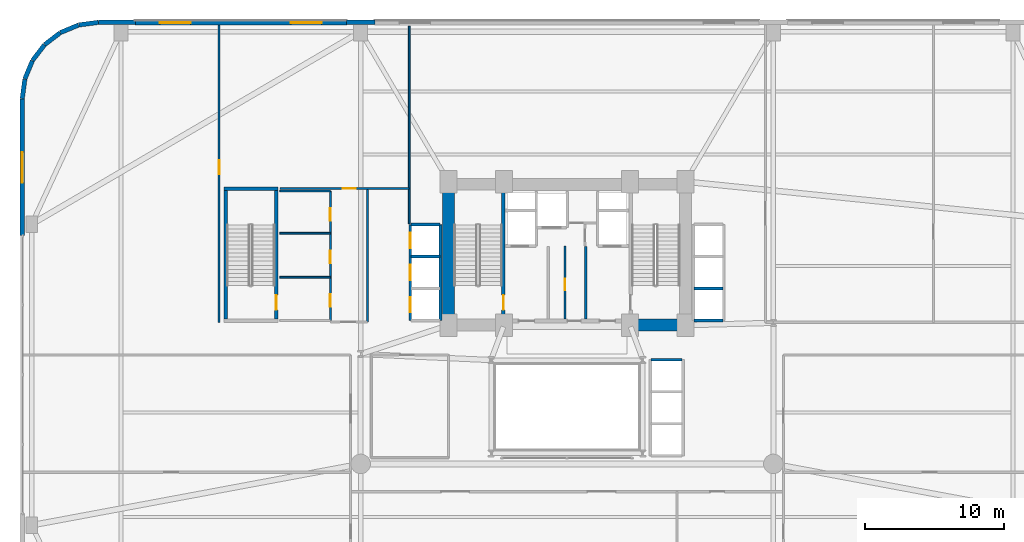
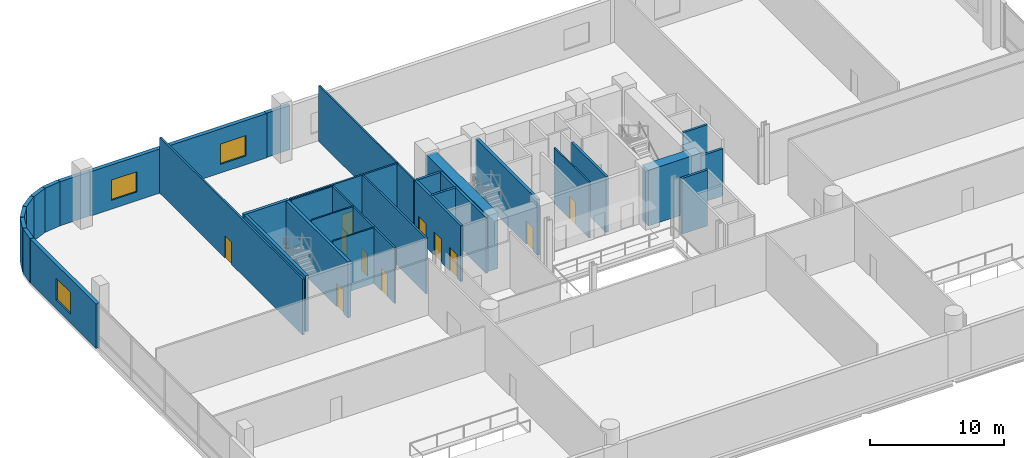
# One storey, part 23 of 31: 33 walls, 11 doors, 3 windows, 14 openings.
"""IFC4 building model written with IfcOpenShell, lengths in metres."""

from ifc_helpers import new_model, si_unit, direction, frame, frame_2d, origin, place, context, subcontext, project, spatial, rectangle, extrude, material, layer, layer_set, type_object, element, fill, save


model = new_model("IFC4")

# Units and contexts
model_context = context("Model", 3, precision=1e-05, world=origin(), true_north=direction((0.0, 1.0)))
body_context = subcontext(model_context, "Body", "Model", "MODEL_VIEW")
ifc_project = project(units=[si_unit("LENGTHUNIT", "METRE"), si_unit("AREAUNIT", "SQUARE_METRE"), si_unit("VOLUMEUNIT", "CUBIC_METRE"), si_unit("PLANEANGLEUNIT", "RADIAN"), si_unit("MASSUNIT", "GRAM", prefix="KILO")], contexts=[model_context])

# Site, building, storey
site_placement = place(None, origin())
site = spatial("IfcSite", under=ifc_project, at=site_placement, CompositionType="ELEMENT")
building_placement = place(site_placement, origin())
building = spatial("IfcBuilding", under=site, at=building_placement, Name="Varnelok Gate Tower", CompositionType="ELEMENT")
storey_placement = place(building_placement, frame((0.0, 0.0, 16.199951171875)))
storey = spatial("IfcBuildingStorey", under=building, at=storey_placement, Name="L03", CompositionType="ELEMENT", Elevation=16.199951171875)

# Wall, openings, windows
ifc_material_1 = material(Name="Concrete C45/55", Category="concrete")
ifc_layer_1 = layer(ifc_material_1, 0.320068359375)
ifc_layer_set_1 = layer_set([ifc_layer_1], Name="Concrete C45/55")
wall_type_1 = type_object("IfcWallType", Name="EW-POD-320", PredefinedType="SOLIDWALL", material=ifc_layer_set_1)
wall_1_placement = place(storey_placement, frame((8.199951171875, 50.43994140625, 0.0), z_axis=(0.0, 0.0, 1.0), x_axis=(1.0, 0.0, 0.0)))
wall_1 = element("IfcWall", 1, at=wall_1_placement, inside=storey, type_object=wall_type_1, Name="L03 North Podium Wall 1", PredefinedType="SOLIDWALL", context=body_context, shape_type="SweptSolid", body=[
    extrude(rectangle(XDim=15.199951171875, YDim=0.320068359375, at=frame_2d((7.60009765625, 0.0))), origin(), (0.0, 0.0, 1.0), 4.030029296875),
])
opening_1_placement = place(wall_1_placement, frame((1.800048828125, 0.0, 0.800048828125)))
opening_1 = element("IfcOpeningElement", 2, at=opening_1_placement, cuts=wall_1, Name="Opening WN2", PredefinedType="OPENING", context=body_context, shape_type="SweptSolid", body=[
    extrude(rectangle(XDim=2.199951171875, YDim=1.85009765625, at=frame_2d((1.10009765625, 0.925048828125))), frame((0.0, 0.169921875, 0.0), z_axis=(0.0, -1.0, 0.0), x_axis=(1.0, 0.0, 0.0)), (0.0, 0.0, 1.0), 0.340087890625),
])
opening_2_placement = place(wall_1_placement, frame((11.199951171875, 0.0, 0.800048828125)))
opening_2 = element("IfcOpeningElement", 3, at=opening_2_placement, cuts=wall_1, Name="Opening WN2", PredefinedType="OPENING", context=body_context, shape_type="SweptSolid", body=[
    extrude(rectangle(XDim=2.199951171875, YDim=1.85009765625, at=frame_2d((1.10009765625, 0.925048828125))), frame((0.0, 0.169921875, 0.0), z_axis=(0.0, -1.0, 0.0), x_axis=(1.0, 0.0, 0.0)), (0.0, 0.0, 1.0), 0.340087890625),
])
ifc_material_2 = material(Name="Low-E Laminated Double Glazing IGU", Category="glass")
window_type_1 = type_object("IfcWindowType", Name="WN-POD-2200", PartitioningType="SINGLE_PANEL", PredefinedType="WINDOW", material=ifc_material_2)
window_1_placement = place(opening_1_placement, origin())
window_1 = element("IfcWindow", 4, at=window_1_placement, inside=storey, type_object=window_type_1, Name="L03 Podium Window N1.1", OverallHeight=1.85009765625, OverallWidth=2.199951171875, PartitioningType="SINGLE_PANEL", PredefinedType="WINDOW", context=body_context, shape_type="SweptSolid", body=[
    extrude(rectangle(XDim=2.199951171875, YDim=1.85009765625, at=frame_2d((1.10009765625, 0.925048828125))), frame((0.0, 0.030029296875, 0.0), z_axis=(0.0, -1.0, 0.0), x_axis=(1.0, 0.0, 0.0)), (0.0, 0.0, 1.0), 0.06005859375),
])
fill(opening_1, window_1)
window_2_placement = place(opening_2_placement, origin())
window_2 = element("IfcWindow", 5, at=window_2_placement, inside=storey, type_object=window_type_1, Name="L03 Podium Window N1.2", OverallHeight=1.85009765625, OverallWidth=2.199951171875, PartitioningType="SINGLE_PANEL", PredefinedType="WINDOW", context=body_context, shape_type="SweptSolid", body=[
    extrude(rectangle(XDim=2.199951171875, YDim=1.85009765625, at=frame_2d((1.10009765625, 0.925048828125))), frame((0.0, 0.030029296875, 0.0), z_axis=(0.0, -1.0, 0.0), x_axis=(1.0, 0.0, 0.0)), (0.0, 0.0, 1.0), 0.06005859375),
])
fill(opening_2, window_2)

# Walls
wall_2_placement = place(storey_placement, frame((25.429931640625, 50.47998046875, 0.0), z_axis=(0.0, 0.0, 1.0), x_axis=(-1.0, 0.0, 0.0)))
element("IfcWall", 6, at=wall_2_placement, inside=storey, type_object=wall_type_1, Name="L03 Perimeter Facade Closure Wall 27", PredefinedType="SOLIDWALL", context=body_context, shape_type="SweptSolid", body=[
    extrude(rectangle(XDim=2.059814453125, YDim=0.320068359375, at=frame_2d((1.02978515625, 0.0))), origin(), (0.0, 0.0, 1.0), 4.030029296875),
])
wall_3_placement = place(storey_placement, frame((8.22998046875, 50.47998046875, 0.0), z_axis=(0.0, 0.0, 1.0), x_axis=(-1.0, 0.0, 0.0)))
element("IfcWall", 7, at=wall_3_placement, inside=storey, type_object=wall_type_1, Name="L03 Perimeter Facade Closure Wall 28", PredefinedType="SOLIDWALL", context=body_context, shape_type="SweptSolid", body=[
    extrude(rectangle(XDim=2.6220703125, YDim=0.320068359375, at=frame_2d((1.31103515625, 0.0))), origin(), (0.0, 0.0, 1.0), 4.030029296875),
])
wall_4_placement = place(storey_placement, frame((5.5830078125, 50.476806640625, 0.0), z_axis=(0.0, 0.0, 1.0), x_axis=(-0.991434880626, -0.130601981138, 0.0)))
element("IfcWall", 8, at=wall_4_placement, inside=storey, type_object=wall_type_1, Name="L03 Perimeter Facade Closure Wall 29", PredefinedType="SOLIDWALL", context=body_context, shape_type="SweptSolid", body=[
    extrude(rectangle(XDim=1.413330078125, YDim=0.320068359375, at=frame_2d((0.70654296875, 0.0))), origin(), (0.0, 0.0, 1.0), 4.030029296875),
])
wall_5_placement = place(storey_placement, frame((4.15869140625, 50.28271484375, 0.0), z_axis=(0.0, 0.0, 1.0), x_axis=(-0.923841042178, -0.382776343035, 0.0)))
element("IfcWall", 9, at=wall_5_placement, inside=storey, type_object=wall_type_1, Name="L03 Perimeter Facade Closure Wall 30", PredefinedType="SOLIDWALL", context=body_context, shape_type="SweptSolid", body=[
    extrude(rectangle(XDim=1.405029296875, YDim=0.320068359375, at=frame_2d((0.70263671875, 0.0))), origin(), (0.0, 0.0, 1.0), 4.030029296875),
])
wall_6_placement = place(storey_placement, frame((2.8408203125, 49.729736328125, 0.0), z_axis=(0.0, 0.0, 1.0), x_axis=(-0.79338541907, -0.60871962085, 0.0)))
element("IfcWall", 10, at=wall_6_placement, inside=storey, type_object=wall_type_1, Name="L03 Perimeter Facade Closure Wall 31", PredefinedType="SOLIDWALL", context=body_context, shape_type="SweptSolid", body=[
    extrude(rectangle(XDim=1.4052734375, YDim=0.320068359375, at=frame_2d((0.70263671875, 0.0))), origin(), (0.0, 0.0, 1.0), 4.030029296875),
])
wall_7_placement = place(storey_placement, frame((1.710693359375, 48.8544921875, 0.0), z_axis=(0.0, 0.0, 1.0), x_axis=(-0.608828954222, -0.793301521807, 0.0)))
element("IfcWall", 11, at=wall_7_placement, inside=storey, type_object=wall_type_1, Name="L03 Perimeter Facade Closure Wall 32", PredefinedType="SOLIDWALL", context=body_context, shape_type="SweptSolid", body=[
    extrude(rectangle(XDim=1.405517578125, YDim=0.320068359375, at=frame_2d((0.70263671875, 0.0))), origin(), (0.0, 0.0, 1.0), 4.030029296875),
])
wall_8_placement = place(storey_placement, frame((0.845703125, 47.71630859375, 0.0), z_axis=(0.0, 0.0, 1.0), x_axis=(-0.382924622758, -0.923779591291, 0.0)))
element("IfcWall", 12, at=wall_8_placement, inside=storey, type_object=wall_type_1, Name="L03 Perimeter Facade Closure Wall 33", PredefinedType="SOLIDWALL", context=body_context, shape_type="SweptSolid", body=[
    extrude(rectangle(XDim=1.4052734375, YDim=0.320068359375, at=frame_2d((0.70263671875, 0.0))), origin(), (0.0, 0.0, 1.0), 4.030029296875),
])
wall_9_placement = place(storey_placement, frame((0.304443359375, 46.393310546875, 0.0), z_axis=(0.0, 0.0, 1.0), x_axis=(-0.130432168094, -0.991457235349, 0.0)))
element("IfcWall", 13, at=wall_9_placement, inside=storey, type_object=wall_type_1, Name="L03 Perimeter Facade Closure Wall 34", PredefinedType="SOLIDWALL", context=body_context, shape_type="SweptSolid", body=[
    extrude(rectangle(XDim=1.4130859375, YDim=0.320068359375, at=frame_2d((0.70654296875, 0.0))), origin(), (0.0, 0.0, 1.0), 4.030029296875),
])

# Wall, opening, window
wall_10_placement = place(storey_placement, frame((0.1201171875, 44.967041015625, 0.0), z_axis=(0.0, 0.0, 1.0), x_axis=(0.0, -1.0, 0.0)))
wall_10 = element("IfcWall", 14, at=wall_10_placement, inside=storey, type_object=wall_type_1, Name="L03 Perimeter Facade Closure Wall 35", PredefinedType="SOLIDWALL", context=body_context, shape_type="SweptSolid", body=[
    extrude(rectangle(XDim=9.797119140625, YDim=0.320068359375, at=frame_2d((4.8984375, 0.0))), origin(), (0.0, 0.0, 1.0), 4.030029296875),
])
opening_3_placement = place(wall_10_placement, frame((3.798583984375, 0.0, 0.800048828125)))
opening_3 = element("IfcOpeningElement", 15, at=opening_3_placement, cuts=wall_10, Name="Opening WN2A", PredefinedType="OPENING", context=body_context, shape_type="SweptSolid", body=[
    extrude(rectangle(XDim=2.199951171875, YDim=2.0, at=frame_2d((1.10009765625, 1.0))), frame((0.0, 0.169921875, 0.0), z_axis=(0.0, -1.0, 0.0), x_axis=(1.0, 0.0, 0.0)), (0.0, 0.0, 1.0), 0.340087890625),
])
window_type_2 = type_object("IfcWindowType", Name="WN-POD-2200X2000", PartitioningType="SINGLE_PANEL", PredefinedType="WINDOW", material=ifc_material_2)
window_3_placement = place(opening_3_placement, origin())
window_3 = element("IfcWindow", 16, at=window_3_placement, inside=storey, type_object=window_type_2, Name="L03 Perimeter Vision Window 35", OverallHeight=2.0, OverallWidth=2.199951171875, PartitioningType="SINGLE_PANEL", PredefinedType="WINDOW", context=body_context, shape_type="SweptSolid", body=[
    extrude(rectangle(XDim=2.199951171875, YDim=2.0, at=frame_2d((1.10009765625, 1.0))), frame((0.0, 0.030029296875, 0.0), z_axis=(0.0, -1.0, 0.0), x_axis=(1.0, 0.0, 0.0)), (0.0, 0.0, 1.0), 0.06005859375),
])
fill(opening_3, window_3)

# Walls
ifc_material_3 = material(Name="Gypsum Plasterboard Acoustic Partition", Category="gypsum")
ifc_layer_2 = layer(ifc_material_3, 0.125)
ifc_layer_set_2 = layer_set([ifc_layer_2], Name="Gypsum Plasterboard Acoustic Partition")
wall_type_2 = type_object("IfcWallType", Name="PW-PART-125", PredefinedType="PARTITIONING", material=ifc_layer_set_2)
for number, where, z_axis, x_axis, name in (
    (17, (18.60009765625, 32.18994140625, 0.0), (0.0, 0.0, 1.0), (1.0, 0.0, 0.0), "Interior Partition"),
    (18, (18.60009765625, 35.340087890625, 0.0), (0.0, 0.0, 1.0), (1.0, 0.0, 0.0), "Interior Partition"),
    (19, (18.60009765625, 38.3798828125, 0.0), (0.0, 0.0, 1.0), (1.0, 0.0, 0.0), "Interior Partition"),
):
    element("IfcWall", number, at=place(storey_placement, frame(where, z_axis=z_axis, x_axis=x_axis)), inside=storey, type_object=wall_type_2, Name=name, PredefinedType="PARTITIONING", context=body_context, shape_type="SweptSolid", body=[
        extrude(rectangle(XDim=3.619873046875, YDim=0.125, at=frame_2d((1.81005859375, 0.0))), origin(), (0.0, 0.0, 1.0), 5.080078125),
    ])
wall_11_placement = place(storey_placement, frame((27.8798828125, 36.02001953125, 0.0), z_axis=(0.0, 0.0, 1.0), x_axis=(0.0, 1.0, 0.0)))
element("IfcWall", 20, at=wall_11_placement, inside=storey, type_object=wall_type_2, Name="Interior Partition", PredefinedType="PARTITIONING", context=body_context, shape_type="SweptSolid", body=[
    extrude(rectangle(XDim=14.179931640625, YDim=0.125, at=frame_2d((7.08984375, 0.0))), origin(), (0.0, 0.0, 1.0), 5.080078125),
])

# Wall, opening, door
wall_12_placement = place(storey_placement, frame((39.050048828125, 29.199951171875, 0.0), z_axis=(0.0, 0.0, 1.0), x_axis=(0.0, 1.0, 0.0)))
wall_12 = element("IfcWall", 21, at=wall_12_placement, inside=storey, type_object=wall_type_2, Name="Interior Partition", PredefinedType="PARTITIONING", context=body_context, shape_type="SweptSolid", body=[
    extrude(rectangle(XDim=5.219970703125, YDim=0.125, at=frame_2d((2.60986328125, 0.0))), origin(), (0.0, 0.0, 1.0), 5.080078125),
])
opening_4_placement = place(wall_12_placement, frame((2.050048828125, 0.0, 0.0)))
opening_4 = element("IfcOpeningElement", 22, at=opening_4_placement, cuts=wall_12, Name="Opening D-RS", PredefinedType="OPENING", context=body_context, shape_type="SweptSolid", body=[
    extrude(rectangle(XDim=0.85009765625, YDim=2.050048828125, at=frame_2d((0.425048828125, 1.02490234375))), frame((0.0, 0.072509765625, 0.0), z_axis=(0.0, -1.0, 0.0), x_axis=(1.0, 0.0, 0.0)), (0.0, 0.0, 1.0), 0.14501953125),
])
ifc_material_4 = material(Name="Galvanized Steel Grade S350GD", Category="steel")
door_type_1 = type_object("IfcDoorType", Name="DR-RISER-850", OperationType="NOTDEFINED", PredefinedType="DOOR", material=ifc_material_4)
door_1_placement = place(opening_4_placement, origin())
door_1 = element("IfcDoor", 23, at=door_1_placement, inside=storey, type_object=door_type_1, Name="L03 Housekeeping Linen Door", OperationType="SINGLE_SWING_LEFT", OverallHeight=2.050048828125, OverallWidth=0.85009765625, PredefinedType="DOOR", context=body_context, shape_type="SweptSolid", body=[
    extrude(rectangle(XDim=0.85009765625, YDim=2.050048828125, at=frame_2d((0.425048828125, 1.02490234375))), frame((0.0, 0.02490234375, 0.0), z_axis=(0.0, -1.0, 0.0), x_axis=(1.0, 0.0, 0.0)), (0.0, 0.0, 1.0), 0.050048828125),
])
fill(opening_4, door_1)

# Wall
ifc_layer_3 = layer(ifc_material_3, 0.14990234375)
ifc_layer_set_3 = layer_set([ifc_layer_3], Name="Gypsum Plasterboard Acoustic Partition")
wall_type_3 = type_object("IfcWallType", Name="PW-PART-150", PredefinedType="PARTITIONING", material=ifc_layer_set_3)
wall_13_placement = place(storey_placement, frame((24.8798828125, 28.97998046875, 0.0), z_axis=(0.0, 0.0, 1.0), x_axis=(0.0, 1.0, 0.0)))
element("IfcWall", 24, at=wall_13_placement, inside=storey, type_object=wall_type_3, Name="Interior Partition", PredefinedType="PARTITIONING", context=body_context, shape_type="SweptSolid", body=[
    extrude(rectangle(XDim=9.580078125, YDim=0.14990234375, at=frame_2d((4.7900390625, 0.0))), origin(), (0.0, 0.0, 1.0), 5.080078125),
])

# Wall, openings, doors
wall_14_placement = place(storey_placement, frame((22.219970703125, 29.080078125, 0.0), z_axis=(0.0, 0.0, 1.0), x_axis=(0.0, 1.0, 0.0)))
wall_14 = element("IfcWall", 25, at=wall_14_placement, inside=storey, type_object=wall_type_3, Name="Interior Partition", PredefinedType="PARTITIONING", context=body_context, shape_type="SweptSolid", body=[
    extrude(rectangle(XDim=9.2998046875, YDim=0.14990234375, at=frame_2d((4.64990234375, 0.0))), origin(), (0.0, 0.0, 1.0), 5.080078125),
])
opening_5_placement = place(wall_14_placement, frame((1.0, 0.0, 0.0)))
opening_5 = element("IfcOpeningElement", 26, at=opening_5_placement, cuts=wall_14, Name="Opening D-WC", PredefinedType="OPENING", context=body_context, shape_type="SweptSolid", body=[
    extrude(rectangle(XDim=0.89990234375, YDim=2.050048828125, at=frame_2d((0.449951171875, 1.02490234375))), frame((0.0, 0.0849609375, 0.0), z_axis=(0.0, -1.0, 0.0), x_axis=(1.0, 0.0, 0.0)), (0.0, 0.0, 1.0), 0.169921875),
])
opening_6_placement = place(wall_14_placement, frame((4.10009765625, 0.0, 0.0)))
opening_6 = element("IfcOpeningElement", 27, at=opening_6_placement, cuts=wall_14, Name="Opening D-WC", PredefinedType="OPENING", context=body_context, shape_type="SweptSolid", body=[
    extrude(rectangle(XDim=0.89990234375, YDim=2.050048828125, at=frame_2d((0.449951171875, 1.02490234375))), frame((0.0, 0.0849609375, 0.0), z_axis=(0.0, -1.0, 0.0), x_axis=(1.0, 0.0, 0.0)), (0.0, 0.0, 1.0), 0.169921875),
])
opening_7_placement = place(wall_14_placement, frame((7.14990234375, 0.0, 0.0)))
opening_7 = element("IfcOpeningElement", 28, at=opening_7_placement, cuts=wall_14, Name="Opening D-WC", PredefinedType="OPENING", context=body_context, shape_type="SweptSolid", body=[
    extrude(rectangle(XDim=0.89990234375, YDim=2.050048828125, at=frame_2d((0.449951171875, 1.02490234375))), frame((0.0, 0.0849609375, 0.0), z_axis=(0.0, -1.0, 0.0), x_axis=(1.0, 0.0, 0.0)), (0.0, 0.0, 1.0), 0.169921875),
])
ifc_material_5 = material(Name="Engineered Hardwood Timber", Category="wood")
door_type_2 = type_object("IfcDoorType", Name="DR-BATH-900", OperationType="NOTDEFINED", PredefinedType="DOOR", material=ifc_material_5)
door_2_placement = place(opening_5_placement, origin())
door_2 = element("IfcDoor", 29, at=door_2_placement, inside=storey, type_object=door_type_2, Name="L03 Male WC Door", OperationType="SINGLE_SWING_LEFT", OverallHeight=2.050048828125, OverallWidth=0.89990234375, PredefinedType="DOOR", context=body_context, shape_type="SweptSolid", body=[
    extrude(rectangle(XDim=0.89990234375, YDim=2.050048828125, at=frame_2d((0.449951171875, 1.02490234375))), frame((0.0, 0.02490234375, 0.0), z_axis=(0.0, -1.0, 0.0), x_axis=(1.0, 0.0, 0.0)), (0.0, 0.0, 1.0), 0.050048828125),
])
fill(opening_5, door_2)
door_3_placement = place(opening_6_placement, origin())
door_3 = element("IfcDoor", 30, at=door_3_placement, inside=storey, type_object=door_type_2, Name="L03 Female WC Door", OperationType="SINGLE_SWING_RIGHT", OverallHeight=2.050048828125, OverallWidth=0.89990234375, PredefinedType="DOOR", context=body_context, shape_type="SweptSolid", body=[
    extrude(rectangle(XDim=0.89990234375, YDim=2.050048828125, at=frame_2d((0.449951171875, 1.02490234375))), frame((0.0, 0.02490234375, 0.0), z_axis=(0.0, -1.0, 0.0), x_axis=(1.0, 0.0, 0.0)), (0.0, 0.0, 1.0), 0.050048828125),
])
fill(opening_6, door_3)
door_4_placement = place(opening_7_placement, origin())
door_4 = element("IfcDoor", 31, at=door_4_placement, inside=storey, type_object=door_type_2, Name="L03 Accessible WC Door", OperationType="SINGLE_SWING_LEFT", OverallHeight=2.050048828125, OverallWidth=0.89990234375, PredefinedType="DOOR", context=body_context, shape_type="SweptSolid", body=[
    extrude(rectangle(XDim=0.89990234375, YDim=2.050048828125, at=frame_2d((0.449951171875, 1.02490234375))), frame((0.0, 0.02490234375, 0.0), z_axis=(0.0, -1.0, 0.0), x_axis=(1.0, 0.0, 0.0)), (0.0, 0.0, 1.0), 0.050048828125),
])
fill(opening_7, door_4)

# Wall, opening, door
wall_15_placement = place(storey_placement, frame((18.60009765625, 38.56005859375, 0.0), z_axis=(0.0, 0.0, 1.0), x_axis=(1.0, 0.0, 0.0)))
wall_15 = element("IfcWall", 32, at=wall_15_placement, inside=storey, type_object=wall_type_3, Name="Interior Partition", PredefinedType="PARTITIONING", context=body_context, shape_type="SweptSolid", body=[
    extrude(rectangle(XDim=9.27978515625, YDim=0.14990234375, at=frame_2d((4.639892578125, 0.0))), origin(), (0.0, 0.0, 1.0), 5.080078125),
])
opening_8_placement = place(wall_15_placement, frame((4.5, 0.0, 0.0)))
opening_8 = element("IfcOpeningElement", 33, at=opening_8_placement, cuts=wall_15, Name="Opening D-I2", PredefinedType="OPENING", context=body_context, shape_type="SweptSolid", body=[
    extrude(rectangle(XDim=0.949951171875, YDim=2.050048828125, at=frame_2d((0.47509765625, 1.02490234375))), frame((0.0, 0.0849609375, 0.0), z_axis=(0.0, -1.0, 0.0), x_axis=(1.0, 0.0, 0.0)), (0.0, 0.0, 1.0), 0.169921875),
])
door_type_3 = type_object("IfcDoorType", Name="DR-INT-950", OperationType="NOTDEFINED", PredefinedType="DOOR", material=ifc_material_5)
door_5_placement = place(opening_8_placement, origin())
door_5 = element("IfcDoor", 34, at=door_5_placement, inside=storey, type_object=door_type_3, Name="L03 North Briefing Door", OperationType="SINGLE_SWING_LEFT", OverallHeight=2.050048828125, OverallWidth=0.949951171875, PredefinedType="DOOR", context=body_context, shape_type="SweptSolid", body=[
    extrude(rectangle(XDim=0.949951171875, YDim=2.050048828125, at=frame_2d((0.47509765625, 1.02490234375))), frame((0.0, 0.02490234375, 0.0), z_axis=(0.0, -1.0, 0.0), x_axis=(1.0, 0.0, 0.0)), (0.0, 0.0, 1.0), 0.050048828125),
])
fill(opening_8, door_5)

wall_16_placement = place(storey_placement, frame((14.25, 28.9599609375, 0.0), z_axis=(0.0, 0.0, 1.0), x_axis=(0.0, 1.0, 0.0)))
wall_16 = element("IfcWall", 35, at=wall_16_placement, inside=storey, type_object=wall_type_3, Name="Interior Partition", PredefinedType="PARTITIONING", context=body_context, shape_type="SweptSolid", body=[
    extrude(rectangle(XDim=21.340087890625, YDim=0.14990234375, at=frame_2d((10.669921875, 0.0))), origin(), (0.0, 0.0, 1.0), 5.080078125),
])
opening_9_placement = place(wall_16_placement, frame((10.6201171875, 0.0, 0.0)))
opening_9 = element("IfcOpeningElement", 36, at=opening_9_placement, cuts=wall_16, Name="Opening D-I1", PredefinedType="OPENING", context=body_context, shape_type="SweptSolid", body=[
    extrude(rectangle(XDim=1.0, YDim=2.050048828125, at=frame_2d((0.5, 1.02490234375))), frame((0.0, 0.0849609375, 0.0), z_axis=(0.0, -1.0, 0.0), x_axis=(1.0, 0.0, 0.0)), (0.0, 0.0, 1.0), 0.169921875),
])
door_type_4 = type_object("IfcDoorType", Name="DR-INT-1000", OperationType="NOTDEFINED", PredefinedType="DOOR", material=ifc_material_5)
door_6_placement = place(opening_9_placement, origin())
door_6 = element("IfcDoor", 37, at=door_6_placement, inside=storey, type_object=door_type_4, Name="L03 Business Center Door", OperationType="SINGLE_SWING_RIGHT", OverallHeight=2.050048828125, OverallWidth=1.0, PredefinedType="DOOR", context=body_context, shape_type="SweptSolid", body=[
    extrude(rectangle(XDim=1.0, YDim=2.050048828125, at=frame_2d((0.5, 1.02490234375))), frame((0.0, 0.02490234375, 0.0), z_axis=(0.0, -1.0, 0.0), x_axis=(1.0, 0.0, 0.0)), (0.0, 0.0, 1.0), 0.050048828125),
])
fill(opening_9, door_6)

# Walls
ifc_material_6 = material(Name="Concrete C35/45", Category="concrete")
ifc_layer_4 = layer(ifc_material_6, 0.199951171875)
ifc_layer_set_4 = layer_set([ifc_layer_4], Name="Concrete C35/45")
wall_type_4 = type_object("IfcWallType", Name="PW-SHAFT-200", PredefinedType="PARTITIONING", material=ifc_layer_set_4)
wall_17_placement = place(storey_placement, frame((40.5400390625, 29.199951171875, 0.0), z_axis=(0.0, 0.0, 1.0), x_axis=(0.0, 1.0, 0.0)))
element("IfcWall", 38, at=wall_17_placement, inside=storey, type_object=wall_type_4, Name="L03 East FF Lobby Rated Wall", PredefinedType="PARTITIONING", context=body_context, shape_type="SweptSolid", body=[
    extrude(rectangle(XDim=5.179931640625, YDim=0.199951171875, at=frame_2d((2.58984375, 0.0))), origin(), (0.0, 0.0, 1.0), 5.080078125),
])
wall_18_placement = place(storey_placement, frame((28.02001953125, 33.675048828125, 0.0), z_axis=(0.0, 0.0, 1.0), x_axis=(1.0, 0.0, 0.0)))
element("IfcWall", 39, at=wall_18_placement, inside=storey, type_object=wall_type_4, Name="L03 PL2 Divider", PredefinedType="PARTITIONING", context=body_context, shape_type="SweptSolid", body=[
    extrude(rectangle(XDim=2.06005859375, YDim=0.199951171875, at=frame_2d((1.030029296875, 0.0))), origin(), (0.0, 0.0, 1.0), 5.080078125),
])
wall_19_placement = place(storey_placement, frame((28.0, 35.969970703125, 0.0), z_axis=(0.0, 0.0, 1.0), x_axis=(1.0, 0.0, 0.0)))
element("IfcWall", 40, at=wall_19_placement, inside=storey, type_object=wall_type_4, Name="L03 PL Bank North Wall", PredefinedType="PARTITIONING", context=body_context, shape_type="SweptSolid", body=[
    extrude(rectangle(XDim=2.10009765625, YDim=0.199951171875, at=frame_2d((1.050048828125, 0.0))), origin(), (0.0, 0.0, 1.0), 5.080078125),
])
wall_20_placement = place(storey_placement, frame((30.1201171875, 29.080078125, 0.0), z_axis=(0.0, 0.0, 1.0), x_axis=(0.0, 1.0, 0.0)))
element("IfcWall", 41, at=wall_20_placement, inside=storey, type_object=wall_type_4, Name="L03 PL Bank Back Wall", PredefinedType="PARTITIONING", context=body_context, shape_type="SweptSolid", body=[
    extrude(rectangle(XDim=6.889892578125, YDim=0.199951171875, at=frame_2d((3.44482421875, 0.0))), origin(), (0.0, 0.0, 1.0), 5.080078125),
])

# Wall, openings, doors
wall_21_placement = place(storey_placement, frame((27.9599609375, 29.080078125, 0.0), z_axis=(0.0, 0.0, 1.0), x_axis=(0.0, 1.0, 0.0)))
wall_21 = element("IfcWall", 42, at=wall_21_placement, inside=storey, type_object=wall_type_4, Name="L03 PL Bank Front Wall", PredefinedType="PARTITIONING", context=body_context, shape_type="SweptSolid", body=[
    extrude(rectangle(XDim=6.889892578125, YDim=0.199951171875, at=frame_2d((3.44482421875, 0.0))), origin(), (0.0, 0.0, 1.0), 5.080078125),
])
opening_10_placement = place(wall_21_placement, frame((0.590087890625, 0.0, 0.0)))
opening_10 = element("IfcOpeningElement", 43, at=opening_10_placement, cuts=wall_21, Name="Opening LD-PL1", PredefinedType="OPENING", context=body_context, shape_type="SweptSolid", body=[
    extrude(rectangle(XDim=1.10009765625, YDim=2.14990234375, at=frame_2d((0.550048828125, 1.074951171875))), frame((0.0, 0.10986328125, 0.0), z_axis=(0.0, -1.0, 0.0), x_axis=(1.0, 0.0, 0.0)), (0.0, 0.0, 1.0), 0.219970703125),
])
opening_11_placement = place(wall_21_placement, frame((2.889892578125, 0.0, 0.0)))
opening_11 = element("IfcOpeningElement", 44, at=opening_11_placement, cuts=wall_21, Name="Opening LD-PL2", PredefinedType="OPENING", context=body_context, shape_type="SweptSolid", body=[
    extrude(rectangle(XDim=1.10009765625, YDim=2.14990234375, at=frame_2d((0.550048828125, 1.074951171875))), frame((0.0, 0.10986328125, 0.0), z_axis=(0.0, -1.0, 0.0), x_axis=(1.0, 0.0, 0.0)), (0.0, 0.0, 1.0), 0.219970703125),
])
opening_12_placement = place(wall_21_placement, frame((5.18994140625, 0.0, 0.0)))
opening_12 = element("IfcOpeningElement", 45, at=opening_12_placement, cuts=wall_21, Name="Opening LD-PL3", PredefinedType="OPENING", context=body_context, shape_type="SweptSolid", body=[
    extrude(rectangle(XDim=1.10009765625, YDim=2.14990234375, at=frame_2d((0.550048828125, 1.074951171875))), frame((0.0, 0.10986328125, 0.0), z_axis=(0.0, -1.0, 0.0), x_axis=(1.0, 0.0, 0.0)), (0.0, 0.0, 1.0), 0.219970703125),
])
door_type_5 = type_object("IfcDoorType", Name="DR-LIFT-PAX1100", OperationType="SLIDING_TO_LEFT", PredefinedType="DOOR", material=ifc_material_4)
door_7_placement = place(opening_10_placement, origin())
door_7 = element("IfcDoor", 46, at=door_7_placement, inside=storey, type_object=door_type_5, Name="L03 Passenger Lift Landing Door LD-PL1", OperationType="SLIDING_TO_LEFT", OverallHeight=2.14990234375, OverallWidth=1.10009765625, PredefinedType="DOOR", context=body_context, shape_type="SweptSolid", body=[
    extrude(rectangle(XDim=1.10009765625, YDim=2.14990234375, at=frame_2d((0.550048828125, 1.074951171875))), frame((0.0, 0.02490234375, 0.0), z_axis=(0.0, -1.0, 0.0), x_axis=(1.0, 0.0, 0.0)), (0.0, 0.0, 1.0), 0.050048828125),
])
fill(opening_10, door_7)
door_8_placement = place(opening_11_placement, origin())
door_8 = element("IfcDoor", 47, at=door_8_placement, inside=storey, type_object=door_type_5, Name="L03 Passenger Lift Landing Door LD-PL2", OperationType="SLIDING_TO_LEFT", OverallHeight=2.14990234375, OverallWidth=1.10009765625, PredefinedType="DOOR", context=body_context, shape_type="SweptSolid", body=[
    extrude(rectangle(XDim=1.10009765625, YDim=2.14990234375, at=frame_2d((0.550048828125, 1.074951171875))), frame((0.0, 0.02490234375, 0.0), z_axis=(0.0, -1.0, 0.0), x_axis=(1.0, 0.0, 0.0)), (0.0, 0.0, 1.0), 0.050048828125),
])
fill(opening_11, door_8)
door_9_placement = place(opening_12_placement, origin())
door_9 = element("IfcDoor", 48, at=door_9_placement, inside=storey, type_object=door_type_5, Name="L03 Passenger Lift Landing Door LD-PL3", OperationType="SLIDING_TO_LEFT", OverallHeight=2.14990234375, OverallWidth=1.10009765625, PredefinedType="DOOR", context=body_context, shape_type="SweptSolid", body=[
    extrude(rectangle(XDim=1.10009765625, YDim=2.14990234375, at=frame_2d((0.550048828125, 1.074951171875))), frame((0.0, 0.02490234375, 0.0), z_axis=(0.0, -1.0, 0.0), x_axis=(1.0, 0.0, 0.0)), (0.0, 0.0, 1.0), 0.050048828125),
])
fill(opening_12, door_9)

# Walls
wall_22_placement = place(storey_placement, frame((48.320068359375, 31.375, 0.0), z_axis=(0.0, 0.0, 1.0), x_axis=(1.0, 0.0, 0.0)))
element("IfcWall", 49, at=wall_22_placement, inside=storey, type_object=wall_type_4, Name="L03 PM1 Divider", PredefinedType="PARTITIONING", context=body_context, shape_type="SweptSolid", body=[
    extrude(rectangle(XDim=2.059814453125, YDim=0.199951171875, at=frame_2d((1.02978515625, 0.0))), origin(), (0.0, 0.0, 1.0), 5.080078125),
])
wall_23_placement = place(storey_placement, frame((48.320068359375, 29.080078125, 0.0), z_axis=(0.0, 0.0, 1.0), x_axis=(1.0, 0.0, 0.0)))
element("IfcWall", 50, at=wall_23_placement, inside=storey, type_object=wall_type_4, Name="L03 PM Bank South Wall", PredefinedType="PARTITIONING", context=body_context, shape_type="SweptSolid", body=[
    extrude(rectangle(XDim=2.059814453125, YDim=0.199951171875, at=frame_2d((1.02978515625, 0.0))), origin(), (0.0, 0.0, 1.0), 4.2919921875),
])
wall_24_placement = place(storey_placement, frame((45.239990234375, 26.280029296875, 0.0), z_axis=(0.0, 0.0, 1.0), x_axis=(1.0, 0.0, 0.0)))
element("IfcWall", 51, at=wall_24_placement, inside=storey, type_object=wall_type_4, Name="L03 PH Bank North Wall", PredefinedType="PARTITIONING", context=body_context, shape_type="SweptSolid", body=[
    extrude(rectangle(XDim=2.219970703125, YDim=0.199951171875, at=frame_2d((1.10986328125, 0.0))), origin(), (0.0, 0.0, 1.0), 5.080078125),
])
ifc_material_7 = material(Name="Concrete C70/85", Category="concrete")
ifc_layer_5 = layer(ifc_material_7, 0.85009765625)
ifc_layer_set_5 = layer_set([ifc_layer_5], Name="Concrete C70/85")
wall_type_5 = type_object("IfcWallType", Name="SW-CORE-850", PredefinedType="SHEAR", material=ifc_layer_set_5)
wall_25_placement = place(storey_placement, frame((30.705078125, 29.199951171875, 0.0), z_axis=(0.0, 0.0, 1.0), x_axis=(0.0, 1.0, 0.0)))
element("IfcWall", 52, at=wall_25_placement, inside=storey, type_object=wall_type_5, Name="L03 Rear Core West Shear Wall", PredefinedType="SHEAR", context=body_context, shape_type="SweptSolid", body=[
    extrude(rectangle(XDim=9.219970703125, YDim=0.85009765625, at=frame_2d((4.60986328125, 0.0))), origin(), (0.0, 0.0, 1.0), 5.080078125),
])
wall_26_placement = place(storey_placement, frame((43.60009765625, 28.77490234375, 0.0), z_axis=(0.0, 0.0, 1.0), x_axis=(1.0, 0.0, 0.0)))
element("IfcWall", 53, at=wall_26_placement, inside=storey, type_object=wall_type_5, Name="L03 Rear Core South-East Shear Wall", PredefinedType="SHEAR", context=body_context, shape_type="SweptSolid", body=[
    extrude(rectangle(XDim=4.52001953125, YDim=0.85009765625, at=frame_2d((2.260009765625, 0.0))), origin(), (0.0, 0.0, 1.0), 5.080078125),
])

# Wall, opening, door
ifc_material_8 = material(Name="Concrete C60/75", Category="concrete")
ifc_layer_6 = layer(ifc_material_8, 0.25)
ifc_layer_set_6 = layer_set([ifc_layer_6], Name="Concrete C60/75")
wall_type_6 = type_object("IfcWallType", Name="SW-SHAFT-250", PredefinedType="SHEAR", material=ifc_layer_set_6)
wall_27_placement = place(storey_placement, frame((34.639892578125, 29.199951171875, 0.0), z_axis=(0.0, 0.0, 1.0), x_axis=(0.0, 1.0, 0.0)))
wall_27 = element("IfcWall", 54, at=wall_27_placement, inside=storey, type_object=wall_type_6, Name="L03 Stair ST-1 East Shear Wall", PredefinedType="SHEAR", context=body_context, shape_type="SweptSolid", body=[
    extrude(rectangle(XDim=9.219970703125, YDim=0.25, at=frame_2d((4.60986328125, 0.0))), origin(), (0.0, 0.0, 1.0), 5.080078125),
])
opening_13_placement = place(wall_27_placement, frame((0.64990234375, 0.0, 0.0)))
opening_13 = element("IfcOpeningElement", 55, at=opening_13_placement, cuts=wall_27, Name="Opening D-ST", PredefinedType="OPENING", context=body_context, shape_type="SweptSolid", body=[
    extrude(rectangle(XDim=1.050048828125, YDim=2.14990234375, at=frame_2d((0.52490234375, 1.074951171875))), frame((0.0, 0.135009765625, 0.0), z_axis=(0.0, -1.0, 0.0), x_axis=(1.0, 0.0, 0.0)), (0.0, 0.0, 1.0), 0.27001953125),
])
door_type_6 = type_object("IfcDoorType", Name="DR-STAIR-1050", OperationType="NOTDEFINED", PredefinedType="DOOR", material=ifc_material_4)
door_10_placement = place(opening_13_placement, origin())
door_10 = element("IfcDoor", 56, at=door_10_placement, inside=storey, type_object=door_type_6, Name="L03 Exit Stair ST-1 Fire Door", OperationType="SINGLE_SWING_LEFT", OverallHeight=2.14990234375, OverallWidth=1.050048828125, PredefinedType="DOOR", context=body_context, shape_type="SweptSolid", body=[
    extrude(rectangle(XDim=1.050048828125, YDim=2.14990234375, at=frame_2d((0.52490234375, 1.074951171875))), frame((0.0, 0.02490234375, 0.0), z_axis=(0.0, -1.0, 0.0), x_axis=(1.0, 0.0, 0.0)), (0.0, 0.0, 1.0), 0.050048828125),
])
fill(opening_13, door_10)

# Wall
wall_28_placement = place(storey_placement, frame((14.705078125, 29.199951171875, 0.0), z_axis=(0.0, 0.0, 1.0), x_axis=(0.0, 1.0, 0.0)))
element("IfcWall", 57, at=wall_28_placement, inside=storey, type_object=wall_type_6, Name="L03 Stair ST-3 West Shear Wall", PredefinedType="SHEAR", context=body_context, shape_type="SweptSolid", body=[
    extrude(rectangle(XDim=9.219970703125, YDim=0.25, at=frame_2d((4.60986328125, 0.0))), origin(), (0.0, 0.0, 1.0), 5.080078125),
])

# Wall, opening, door
wall_29_placement = place(storey_placement, frame((18.344970703125, 29.199951171875, 0.0), z_axis=(0.0, 0.0, 1.0), x_axis=(0.0, 1.0, 0.0)))
wall_29 = element("IfcWall", 58, at=wall_29_placement, inside=storey, type_object=wall_type_6, Name="L03 Stair ST-3 East Shear Wall", PredefinedType="SHEAR", context=body_context, shape_type="SweptSolid", body=[
    extrude(rectangle(XDim=9.219970703125, YDim=0.25, at=frame_2d((4.60986328125, 0.0))), origin(), (0.0, 0.0, 1.0), 5.080078125),
])
opening_14_placement = place(wall_29_placement, frame((0.64990234375, 0.0, 0.0)))
opening_14 = element("IfcOpeningElement", 59, at=opening_14_placement, cuts=wall_29, Name="Opening D-ST", PredefinedType="OPENING", context=body_context, shape_type="SweptSolid", body=[
    extrude(rectangle(XDim=1.050048828125, YDim=2.14990234375, at=frame_2d((0.52490234375, 1.074951171875))), frame((0.0, 0.135009765625, 0.0), z_axis=(0.0, -1.0, 0.0), x_axis=(1.0, 0.0, 0.0)), (0.0, 0.0, 1.0), 0.27001953125),
])
door_11_placement = place(opening_14_placement, origin())
door_11 = element("IfcDoor", 60, at=door_11_placement, inside=storey, type_object=door_type_6, Name="L03 Podium Stair ST-3 Fire Door", OperationType="SINGLE_SWING_LEFT", OverallHeight=2.14990234375, OverallWidth=1.050048828125, PredefinedType="DOOR", context=body_context, shape_type="SweptSolid", body=[
    extrude(rectangle(XDim=1.050048828125, YDim=2.14990234375, at=frame_2d((0.52490234375, 1.074951171875))), frame((0.0, 0.02490234375, 0.0), z_axis=(0.0, -1.0, 0.0), x_axis=(1.0, 0.0, 0.0)), (0.0, 0.0, 1.0), 0.050048828125),
])
fill(opening_14, door_11)

# Wall
wall_30_placement = place(storey_placement, frame((14.580078125, 38.544921875, 0.0), z_axis=(0.0, 0.0, 1.0), x_axis=(1.0, 0.0, 0.0)))
element("IfcWall", 61, at=wall_30_placement, inside=storey, type_object=wall_type_6, Name="L03 Stair ST-3 North Shear Wall", PredefinedType="SHEAR", context=body_context, shape_type="SweptSolid", body=[
    extrude(rectangle(XDim=3.889892578125, YDim=0.25, at=frame_2d((1.94482421875, 0.0))), origin(), (0.0, 0.0, 1.0), 5.080078125),
])

save(model, "model.ifc")
